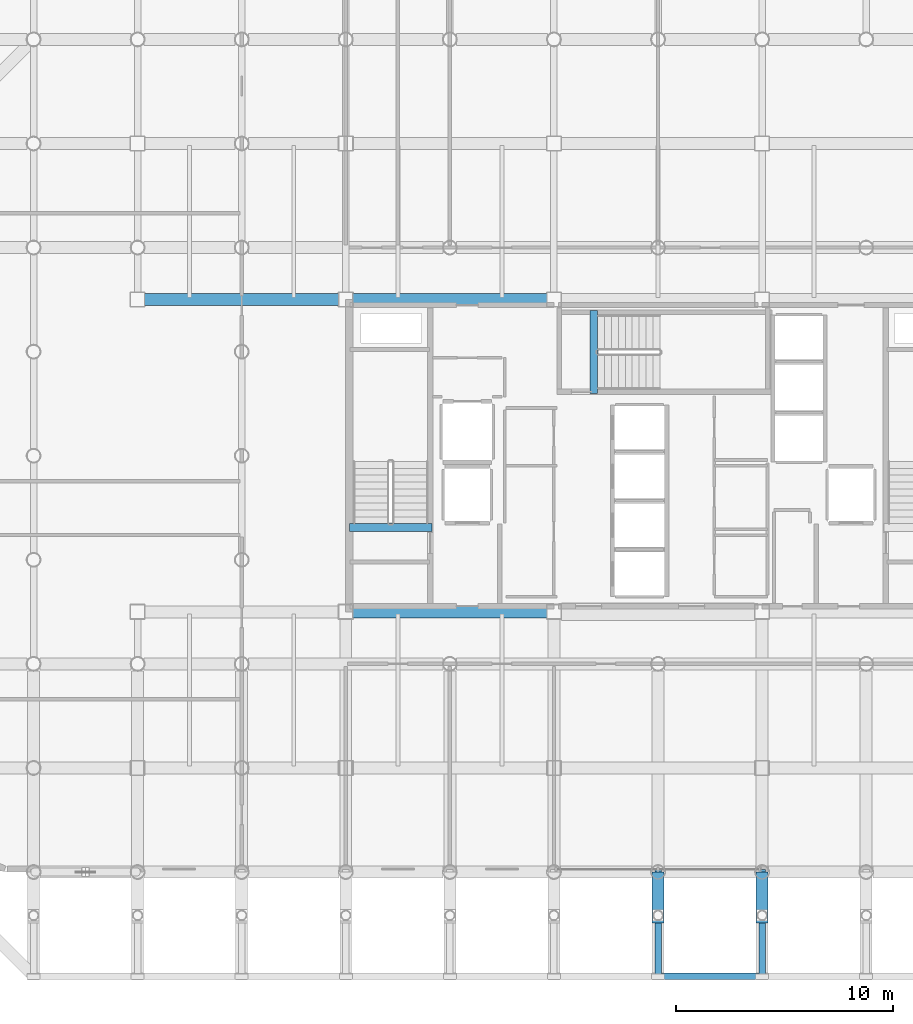
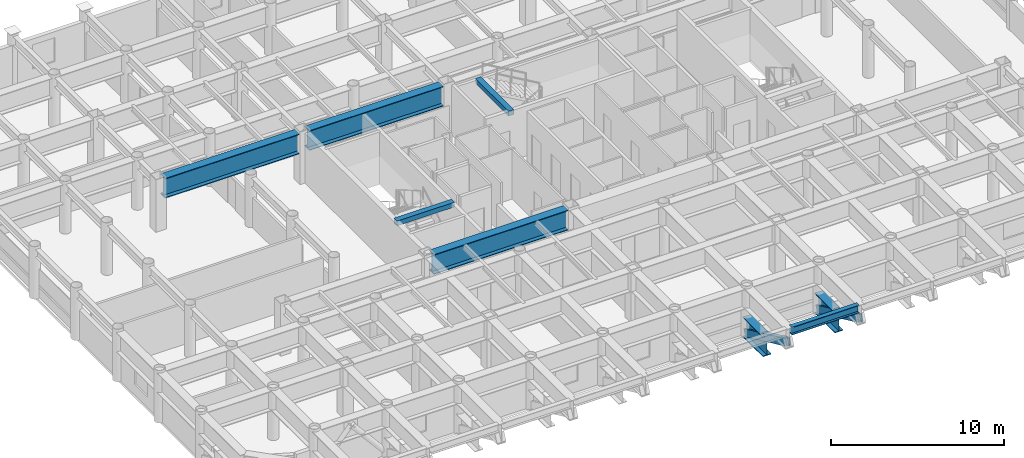
# One storey, part 7 of 24: 8 beams, 2 members.
"""IFC4 building model written with IfcOpenShell, lengths in metres."""

from ifc_helpers import new_model, si_unit, direction, frame, origin, origin_2d, place, context, subcontext, project, spatial, rectangle, hollow_rectangle, i_section, extrude, material, material_profile, profile_set, type_object, element, save


model = new_model("IFC4")

# Units and contexts
model_context = context("Model", 3, precision=1e-05, world=origin(), true_north=direction((0.0, 1.0)))
body_context = subcontext(model_context, "Body", "Model", "MODEL_VIEW")
ifc_project = project(units=[si_unit("LENGTHUNIT", "METRE"), si_unit("AREAUNIT", "SQUARE_METRE"), si_unit("VOLUMEUNIT", "CUBIC_METRE"), si_unit("PLANEANGLEUNIT", "RADIAN"), si_unit("MASSUNIT", "GRAM", prefix="KILO")], contexts=[model_context])

# Site, building, storey
site_placement = place(None, origin())
site = spatial("IfcSite", under=ifc_project, at=site_placement, CompositionType="ELEMENT")
building_placement = place(site_placement, origin())
building = spatial("IfcBuilding", under=site, at=building_placement, Name="Kallvorn Hotel Tower", CompositionType="ELEMENT")
storey_placement = place(building_placement, frame((0.0, 0.0, 150.699951171875)))
storey = spatial("IfcBuildingStorey", under=building, at=storey_placement, Name="L37", CompositionType="ELEMENT", Elevation=150.699951171875)

# Beams
ifc_material_1 = material(Name="Structural steel S355JR", Category="steel")
ifc_material_profile_1 = material_profile(ifc_material_1, i_section(OverallWidth=0.300048828125, OverallDepth=0.550048828125, WebThickness=0.014892578125, FlangeThickness=0.029052734375, at=origin_2d()), Name="HE 550 B")
ifc_profile_set_1 = profile_set([ifc_material_profile_1], Name="Structural steel S355JR")
beam_type_1 = type_object("IfcBeamType", Name="BM_HE550B", PredefinedType="SPANDREL", material=ifc_profile_set_1)
beam_1_placement = place(storey_placement, frame((0.14990234375, -24.0, 3.2451171875), z_axis=(1.0, 0.0, 0.0), x_axis=(0.0, 1.0, 0.0)))
element("IfcBeam", 1, at=beam_1_placement, inside=storey, type_object=beam_type_1, Name="L38 Perimeter Spandrel 170", PredefinedType="SPANDREL", context=body_context, shape_type="SweptSolid", body=[
    extrude(i_section(OverallWidth=0.300048828125, OverallDepth=0.550048828125, WebThickness=0.014892578125, FlangeThickness=0.029052734375, at=origin_2d()), origin(), (0.0, 0.0, 1.0), 4.5),
])
ifc_material_2 = material(Name="Structural steel S355JR", Category="steel")
ifc_material_profile_2 = material_profile(ifc_material_2, i_section(OverallWidth=0.550048828125, OverallDepth=1.39990234375, WebThickness=0.02490234375, FlangeThickness=0.044921875, at=origin_2d()), Name="PG 1400x550x25x45")
ifc_profile_set_2 = profile_set([ifc_material_profile_2], Name="Structural steel S355JR")
beam_type_2 = type_object("IfcBeamType", Name="BM_PG_1400", PredefinedType="BEAM", material=ifc_profile_set_2)
for number, where, z_axis, x_axis, name in (
    (2, (0.0, -19.199951171875, 0.719970703125), (0.0, -1.0, 0.0), (1.0, 0.0, 0.0), "L38 Cantilever Haunch Corbel 08"),
    (3, (4.800048828125, -19.199951171875, 0.719970703125), (0.0, -1.0, 0.0), (1.0, 0.0, 0.0), "L38 Cantilever Haunch Corbel 09"),
):
    element("IfcBeam", number, at=place(storey_placement, frame(where, z_axis=z_axis, x_axis=x_axis)), inside=storey, type_object=beam_type_2, Name=name, PredefinedType="BEAM", context=body_context, shape_type="SweptSolid", body=[
        extrude(i_section(OverallWidth=0.550048828125, OverallDepth=1.39990234375, WebThickness=0.02490234375, FlangeThickness=0.044921875, at=origin_2d()), origin(), (0.0, 0.0, 1.0), 2.35009765625),
    ])
for number, where, z_axis, x_axis, name in (
    (4, (-14.074951171875, -7.199951171875, 2.820068359375), (1.0, 0.0, 0.0), (0.0, 1.0, 0.0), "L38 Primary X-Girder 46"),
    (5, (-23.675048828125, 7.199951171875, 2.820068359375), (1.0, 0.0, 0.0), (0.0, 1.0, 0.0), "L38 Primary X-Girder 49"),
    (6, (-14.074951171875, 7.199951171875, 2.820068359375), (1.0, 0.0, 0.0), (0.0, 1.0, 0.0), "L38 Primary X-Girder 50"),
):
    element("IfcBeam", number, at=place(storey_placement, frame(where, z_axis=z_axis, x_axis=x_axis)), inside=storey, type_object=beam_type_2, Name=name, PredefinedType="BEAM", context=body_context, shape_type="SweptSolid", body=[
        extrude(i_section(OverallWidth=0.550048828125, OverallDepth=1.39990234375, WebThickness=0.02490234375, FlangeThickness=0.044921875, at=origin_2d()), origin(), (0.0, 0.0, 1.0), 8.949951171875),
    ])
ifc_material_3 = material(Name="Concrete C50/60", Category="concrete")
ifc_material_profile_3 = material_profile(ifc_material_3, rectangle(XDim=0.360107421875, YDim=0.340087890625, at=origin_2d()), Name="RC 360x340")
ifc_profile_set_3 = profile_set([ifc_material_profile_3], Name="Concrete C50/60")
beam_type_3 = type_object("IfcBeamType", Name="BM_RC_400x360", PredefinedType="BEAM", material=ifc_profile_set_3)
beam_2_placement = place(storey_placement, frame((-10.419921875, -3.31005859375, 3.35009765625), z_axis=(-1.0, 0.0, 0.0), x_axis=(0.0, -1.0, 0.0)))
element("IfcBeam", 7, at=beam_2_placement, inside=storey, type_object=beam_type_3, Name="L38 Stair ST1 Arrival Trimmer Beam", PredefinedType="BEAM", context=body_context, shape_type="SweptSolid", body=[
    extrude(rectangle(XDim=0.360107421875, YDim=0.340087890625, at=origin_2d()), origin(), (0.0, 0.0, 1.0), 3.820068359375),
])
beam_3_placement = place(storey_placement, frame((-2.9599609375, 2.8701171875, 3.35009765625), z_axis=(0.0, 1.0, 0.0), x_axis=(-1.0, 0.0, 0.0)))
element("IfcBeam", 8, at=beam_3_placement, inside=storey, type_object=beam_type_3, Name="L38 Stair ST3 Arrival Trimmer Beam", PredefinedType="BEAM", context=body_context, shape_type="SweptSolid", body=[
    extrude(rectangle(XDim=0.360107421875, YDim=0.340087890625, at=origin_2d()), origin(), (0.0, 0.0, 1.0), 3.81982421875),
])

# Members
ifc_material_4 = material(Name="Structural steel S355J2H", Category="steel")
ifc_material_profile_4 = material_profile(ifc_material_4, hollow_rectangle(XDim=0.300048828125, YDim=0.5, WallThickness=0.02490234375, at=origin_2d()), Name="RHS 500x300x25")
ifc_profile_set_4 = profile_set([ifc_material_profile_4], Name="Structural steel S355J2H")
member_type = type_object("IfcMemberType", Name="MBR_OUTRIGGER_RHS500", PredefinedType="BRACE", material=ifc_profile_set_4)
for number, where, z_axis, x_axis, name in (
    (9, (0.0, -19.199951171875, 0.25), (0.0, -0.907630778312, 0.419769425115), (1.0, 0.0, 0.0), "L38 Exoskeleton Cantilever Raking Strut 08"),
    (10, (4.800048828125, -19.199951171875, 0.25), (0.0, -0.907630778312, 0.419769425115), (1.0, 0.0, 0.0), "L38 Exoskeleton Cantilever Raking Strut 09"),
):
    element("IfcMember", number, at=place(storey_placement, frame(where, z_axis=z_axis, x_axis=x_axis)), inside=storey, type_object=member_type, Name=name, PredefinedType="BRACE", context=body_context, shape_type="SweptSolid", body=[
        extrude(hollow_rectangle(XDim=0.300048828125, YDim=0.5, WallThickness=0.02490234375, at=origin_2d()), origin(), (0.0, 0.0, 1.0), 5.28857421875),
    ])

save(model, "model.ifc")
